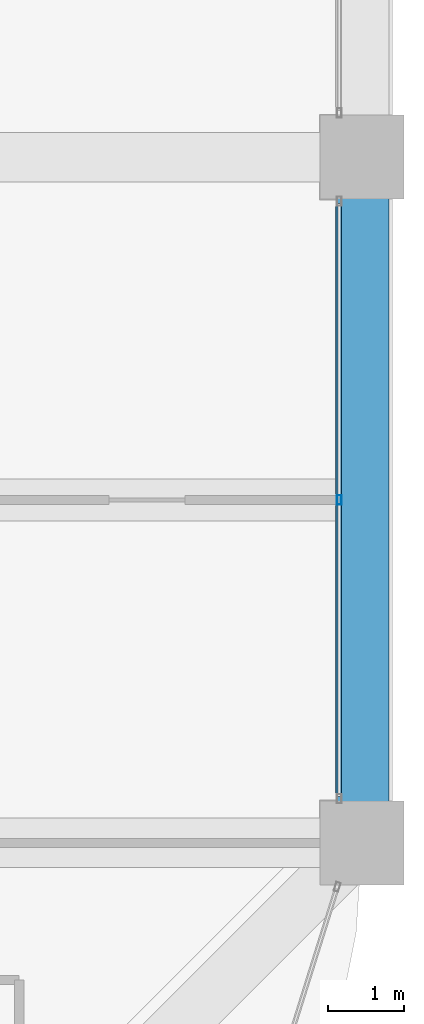
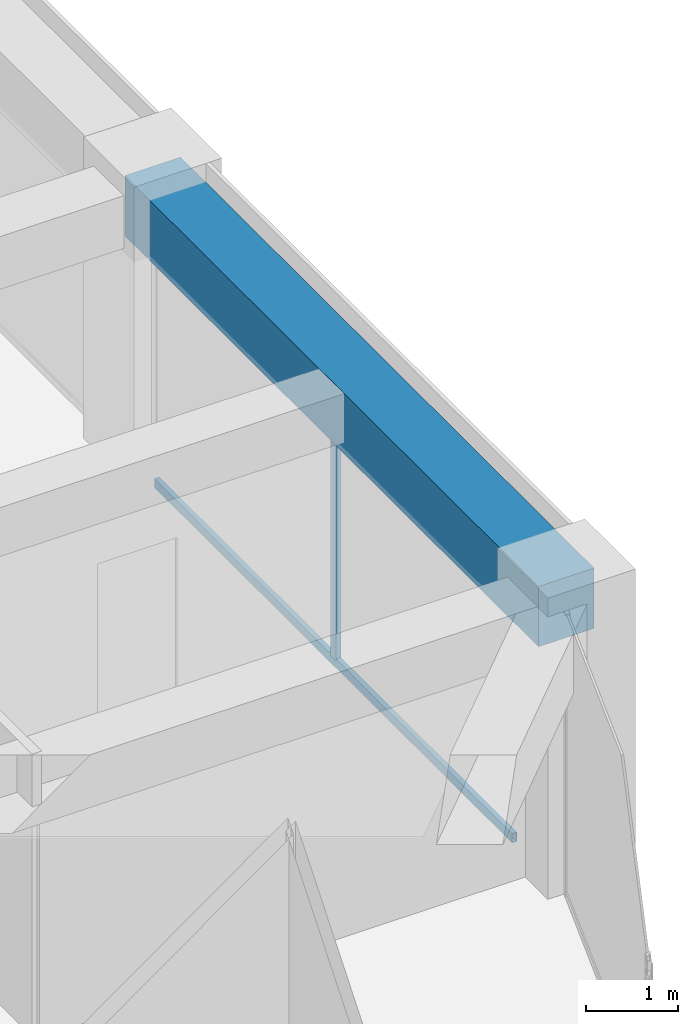
# One storey, part 23 of 44: 2 members, 1 beam, 1 element without a shape of its own.
"""IFC4 building model written with IfcOpenShell, lengths in metres."""

from ifc_helpers import new_model, si_unit, direction, frame, origin, origin_2d, place, context, subcontext, project, spatial, rectangle, hollow_rectangle, extrude, material, material_profile, profile_set, type_object, element, aggregate, save


model = new_model("IFC4")

# Units and contexts
model_context = context("Model", 3, precision=1e-05, world=origin(), true_north=direction((0.0, 1.0)))
body_context = subcontext(model_context, "Body", "Model", "MODEL_VIEW")
ifc_project = project(units=[si_unit("LENGTHUNIT", "METRE"), si_unit("AREAUNIT", "SQUARE_METRE"), si_unit("VOLUMEUNIT", "CUBIC_METRE"), si_unit("PLANEANGLEUNIT", "RADIAN"), si_unit("MASSUNIT", "GRAM", prefix="KILO")], contexts=[model_context])

# Site, building, storey
site_placement = place(None, origin())
site = spatial("IfcSite", under=ifc_project, at=site_placement, CompositionType="ELEMENT")
building_placement = place(site_placement, origin())
building = spatial("IfcBuilding", under=site, at=building_placement, Name="Zorevar Civic Tower", CompositionType="ELEMENT")
storey_placement = place(building_placement, frame((0.0, 0.0, 299.39990234375)))
storey = spatial("IfcBuildingStorey", under=building, at=storey_placement, Name="L73", CompositionType="ELEMENT", Elevation=299.39990234375)

# Curtain wall, members
ifc_material_1 = material(Name="Dark grey solar-control glass in black aluminium frame", Category="aluminium")
curtain_wall_type = type_object("IfcCurtainWallType", Name="Curtain wall CW5 top zone", PredefinedType="NOTDEFINED", material=ifc_material_1)
curtain_wall_placement = place(storey_placement, origin())
curtain_wall = element("IfcCurtainWall", 1, at=curtain_wall_placement, inside=storey, type_object=curtain_wall_type, Name="CW5 L73", PredefinedType="NOTDEFINED")
ifc_material_2 = material(Name="Aluminium, black anodised", Category="aluminium")
ifc_material_profile_1 = material_profile(ifc_material_2, hollow_rectangle(XDim=0.06005859375, YDim=0.1201171875, WallThickness=0.0029296875, at=origin_2d()), Name="AL 120x60x3")
ifc_profile_set_1 = profile_set([ifc_material_profile_1], Name="Aluminium, black anodised")
member_type_1 = type_object("IfcMemberType", Name="CW5 mullion AL 120x60x3", PredefinedType="MULLION", material=ifc_profile_set_1)
member_1_placement = place(storey_placement, frame((53.699951171875, 13.5, 0.06005859375), z_axis=(0.0, 0.0, 1.0), x_axis=(-1.0, 0.0, 0.0)))
member_1 = element("IfcMember", 2, at=member_1_placement, type_object=member_type_1, Name="CW5 mullion 2", PredefinedType="MULLION", context=body_context, shape_type="SweptSolid", body=[
    extrude(hollow_rectangle(XDim=0.06005859375, YDim=0.1201171875, WallThickness=0.0029296875, at=origin_2d()), origin(), (0.0, 0.0, 1.0), 2.89013671875),
])
ifc_material_3 = material(Name="Aluminium, black anodised", Category="aluminium")
ifc_material_profile_2 = material_profile(ifc_material_3, hollow_rectangle(XDim=0.06005859375, YDim=0.1201171875, WallThickness=0.0029296875, at=origin_2d()), Name="AL 120x60x3")
ifc_profile_set_2 = profile_set([ifc_material_profile_2], Name="Aluminium, black anodised")
member_type_2 = type_object("IfcMemberType", Name="CW5 transom AL 120x60x3", PredefinedType="USERDEFINED", material=ifc_profile_set_2)
member_2_placement = place(storey_placement, frame((53.699951171875, 9.610107421875, 0.030029296875), z_axis=(0.0, 1.0, 0.0), x_axis=(-1.0, 0.0, 0.0)))
member_2 = element("IfcMember", 3, at=member_2_placement, type_object=member_type_2, Name="CW5 sill transom", ObjectType="TRANSOM", PredefinedType="USERDEFINED", context=body_context, shape_type="SweptSolid", body=[
    extrude(hollow_rectangle(XDim=0.06005859375, YDim=0.1201171875, WallThickness=0.0029296875, at=origin_2d()), origin(), (0.0, 0.0, 1.0), 7.77978515625),
])
aggregate(curtain_wall, [member_1, member_2])

# Beam
ifc_material_4 = material(Name="Concrete C50/60", Category="concrete")
ifc_material_profile_3 = material_profile(ifc_material_4, rectangle(XDim=0.699951171875, YDim=0.800048828125, at=origin_2d()), Name="RC 700x800")
ifc_profile_set_3 = profile_set([ifc_material_profile_3], Name="Concrete C50/60")
beam_type = type_object("IfcBeamType", Name="Edge beam RC 700x800", PredefinedType="SPANDREL", material=ifc_profile_set_3)
beam_placement = place(storey_placement, frame((54.0, 9.0, 3.35009765625), z_axis=(0.0, 1.0, 0.0), x_axis=(-1.0, 0.0, 0.0)))
element("IfcBeam", 4, at=beam_placement, inside=storey, type_object=beam_type, Name="Edge beam L74", PredefinedType="SPANDREL", context=body_context, shape_type="SweptSolid", body=[
    extrude(rectangle(XDim=0.699951171875, YDim=0.800048828125, at=origin_2d()), origin(), (0.0, 0.0, 1.0), 9.0),
])

save(model, "model.ifc")
